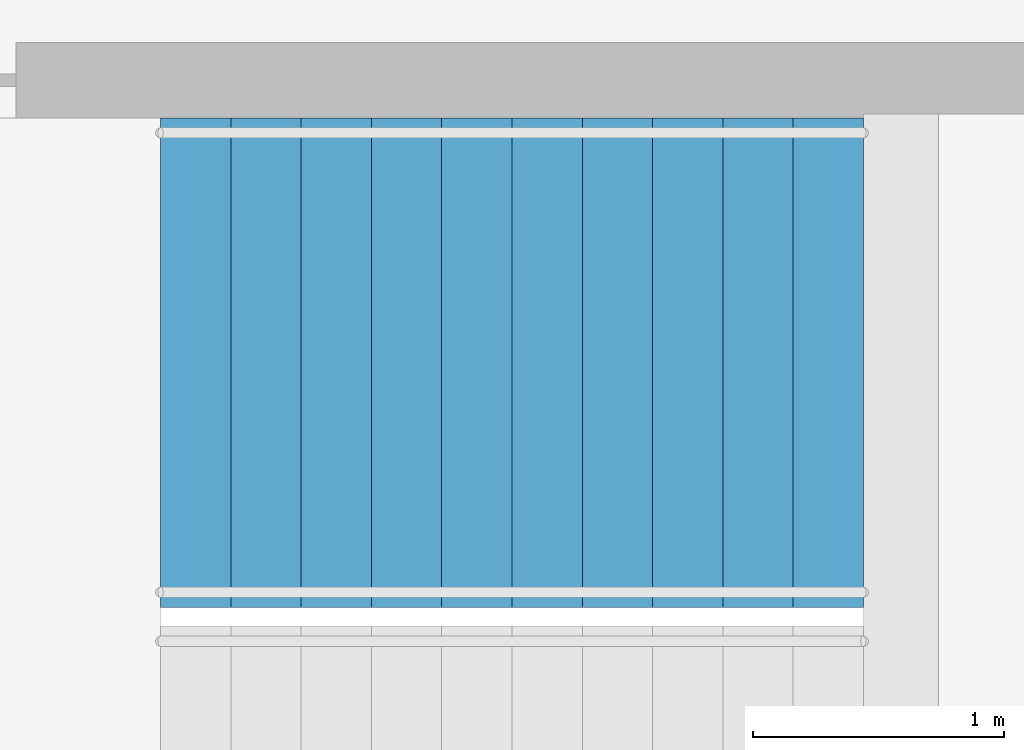
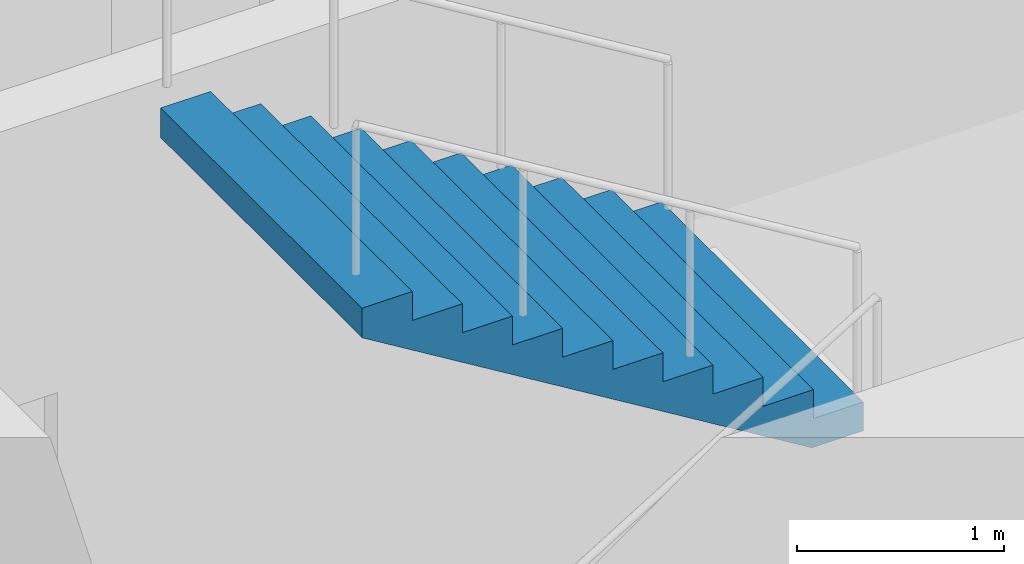
# One storey, part 19 of 22: 1 stair flight, 1 element without a shape of its own.
"""IFC4 building model written with IfcOpenShell, lengths in metres."""

from ifc_helpers import new_model, si_unit, direction, frame, origin, place, context, subcontext, project, spatial, triangles, material, type_object, element, aggregate, save


model = new_model("IFC4")

# Units and contexts
model_context = context("Model", 3, precision=1e-05, world=origin(), true_north=direction((0.0, 1.0)))
body_context = subcontext(model_context, "Body", "Model", "MODEL_VIEW")
ifc_project = project(units=[si_unit("LENGTHUNIT", "METRE"), si_unit("AREAUNIT", "SQUARE_METRE"), si_unit("VOLUMEUNIT", "CUBIC_METRE"), si_unit("PLANEANGLEUNIT", "RADIAN"), si_unit("MASSUNIT", "GRAM", prefix="KILO")], contexts=[model_context])

# Site, building, storey
site_placement = place(None, origin())
site = spatial("IfcSite", under=ifc_project, at=site_placement, CompositionType="ELEMENT")
building_placement = place(site_placement, origin())
building = spatial("IfcBuilding", under=site, at=building_placement, Name="Orbita Commons", CompositionType="ELEMENT")
storey_placement = place(building_placement, frame((0.0, 0.0, 121.89990234375)))
storey = spatial("IfcBuildingStorey", under=building, at=storey_placement, Name="L30", CompositionType="ELEMENT", Elevation=121.89990234375)

# Stair, stair flight
ifc_material_1 = material(Name="Precast concrete C40/50", Category="concrete")
stair_type = type_object("IfcStairType", Name="Exit stair S1 2 flights 11 risers 170", PredefinedType="HALF_TURN_STAIR", material=ifc_material_1)
stair_placement = place(storey_placement, origin())
stair = element("IfcStair", 1, at=stair_placement, inside=storey, type_object=stair_type, Name="Exit stair S1 L30", PredefinedType="HALF_TURN_STAIR")
ifc_material_2 = material(Name="Precast concrete C40/50", Category="concrete")
stair_flight_type = type_object("IfcStairFlightType", Name="Stair flight 11 risers 170 x 280", PredefinedType="STRAIGHT", material=ifc_material_2)
stair_flight_placement = place(storey_placement, frame((23.25, 29.27490234375, 1.875), z_axis=(0.0, 0.0, 1.0), x_axis=(-1.0, 0.0, 0.0)))
stair_flight = element("IfcStairFlight", 2, at=stair_flight_placement, type_object=stair_flight_type, Name="S1 flight 2", NumberOfRisers=11, NumberOfTreads=10, PredefinedType="STRAIGHT", RiserHeight=0.170454545, TreadLength=0.28, context=body_context, shape_type="Tessellation", body=[
    triangles([(0.0, 0.974976, 0.0), (0.0, 0.974976, 0.021307), (0.0, 0.81248, 0.021307), (0.0, 0.81248, 0.0), (0.0, 0.649984, 0.021307), (0.0, 0.649984, 0.0), (0.0, 0.487488, 0.021307), (0.0, 0.487488, 0.0), (0.0, 0.324992, 0.021307), (0.0, 0.324992, 0.0), (0.0, 0.162496, 0.021307), (0.0, 0.162496, 0.0), (0.0, 0.0, 0.021307), (0.0, 0.0, 0.0), (0.0, -0.162496, 0.021307), (0.0, -0.162496, 0.0), (0.0, -0.324992, 0.021307), (0.0, -0.324992, 0.0), (0.0, -0.487488, 0.021307), (0.0, -0.487488, 0.0), (0.0, -0.649984, 0.021307), (0.0, -0.649984, 0.0), (0.0, -0.81248, 0.021307), (0.0, -0.81248, 0.0), (0.0, -0.974976, 0.021307), (0.0, -0.974976, 0.0), (0.0, 0.974976, 0.042614), (0.0, 0.81248, 0.042614), (0.0, 0.649984, 0.042614), (0.0, 0.487488, 0.042614), (0.0, 0.324992, 0.042614), (0.0, 0.162496, 0.042614), (0.0, 0.0, 0.042614), (0.0, -0.162496, 0.042614), (0.0, -0.324992, 0.042614), (0.0, -0.487488, 0.042614), (0.0, -0.649984, 0.042614), (0.0, -0.81248, 0.042614), (0.0, -0.974976, 0.042614), (0.0, 0.974976, 0.06392), (0.0, 0.81248, 0.06392), (0.0, 0.649984, 0.06392), (0.0, 0.487488, 0.06392), (0.0, 0.324992, 0.06392), (0.0, 0.162496, 0.06392), (0.0, 0.0, 0.06392), (0.0, -0.162496, 0.06392), (0.0, -0.324992, 0.06392), (0.0, -0.487488, 0.06392), (0.0, -0.649984, 0.06392), (0.0, -0.81248, 0.06392), (0.0, -0.974976, 0.06392), (0.0, 0.974976, 0.085227), (0.0, 0.81248, 0.085227), (0.0, 0.649984, 0.085227), (0.0, 0.487488, 0.085227), (0.0, 0.324992, 0.085227), (0.0, 0.162496, 0.085227), (0.0, 0.0, 0.085227), (0.0, -0.162496, 0.085227), (0.0, -0.324992, 0.085227), (0.0, -0.487488, 0.085227), (0.0, -0.649984, 0.085227), (0.0, -0.81248, 0.085227), (0.0, -0.974976, 0.085227), (0.0, 0.974976, 0.106534), (0.0, 0.81248, 0.106534), (0.0, 0.649984, 0.106534), (0.0, 0.487488, 0.106534), (0.0, 0.324992, 0.106534), (0.0, 0.162496, 0.106534), (0.0, 0.0, 0.106534), (0.0, -0.162496, 0.106534), (0.0, -0.324992, 0.106534), (0.0, -0.487488, 0.106534), (0.0, -0.649984, 0.106534), (0.0, -0.81248, 0.106534), (0.0, -0.974976, 0.106534), (0.0, 0.974976, 0.127841), (0.0, 0.81248, 0.127841), (0.0, 0.649984, 0.127841), (0.0, 0.487488, 0.127841), (0.0, 0.324992, 0.127841), (0.0, 0.162496, 0.127841), (0.0, 0.0, 0.127841), (0.0, -0.162496, 0.127841), (0.0, -0.324992, 0.127841), (0.0, -0.487488, 0.127841), (0.0, -0.649984, 0.127841), (0.0, -0.81248, 0.127841), (0.0, -0.974976, 0.127841), (0.0, 0.974976, 0.149148), (0.0, 0.81248, 0.149148), (0.0, 0.649984, 0.149148), (0.0, 0.487488, 0.149148), (0.0, 0.324992, 0.149148), (0.0, 0.162496, 0.149148), (0.0, 0.0, 0.149148), (0.0, -0.162496, 0.149148), (0.0, -0.324992, 0.149148), (0.0, -0.487488, 0.149148), (0.0, -0.649984, 0.149148), (0.0, -0.81248, 0.149148), (0.0, -0.974976, 0.149148), (0.0, 0.974976, 0.170455), (0.0, 0.81248, 0.170455), (0.0, 0.649984, 0.170455), (0.0, 0.487488, 0.170455), (0.0, 0.324992, 0.170455), (0.0, 0.162496, 0.170455), (0.0, 0.0, 0.170455), (0.0, -0.162496, 0.170455), (0.0, -0.324992, 0.170455), (0.0, -0.487488, 0.170455), (0.0, -0.649984, 0.170455), (0.0, -0.81248, 0.170455), (0.0, -0.974976, 0.170455), (0.28, 0.974976, 0.170455), (0.28, 0.81248, 0.170455), (0.28, 0.649984, 0.170455), (0.28, 0.487488, 0.170455), (0.28, 0.324992, 0.170455), (0.28, 0.162496, 0.170455), (0.28, 0.0, 0.170455), (0.28, -0.162496, 0.170455), (0.28, -0.324992, 0.170455), (0.28, -0.487488, 0.170455), (0.28, -0.649984, 0.170455), (0.28, -0.81248, 0.170455), (0.28, -0.974976, 0.170455), (0.28, 0.974976, 0.340909), (0.28, 0.81248, 0.340909), (0.28, 0.649984, 0.340909), (0.28, 0.487488, 0.340909), (0.28, 0.324992, 0.340909), (0.28, 0.162496, 0.340909), (0.28, 0.0, 0.340909), (0.28, -0.162496, 0.340909), (0.28, -0.324992, 0.340909), (0.28, -0.487488, 0.340909), (0.28, -0.649984, 0.340909), (0.28, -0.81248, 0.340909), (0.28, -0.974976, 0.340909), (0.56, 0.974976, 0.340909), (0.56, 0.81248, 0.340909), (0.56, 0.649984, 0.340909), (0.56, 0.487488, 0.340909), (0.56, 0.324992, 0.340909), (0.56, 0.162496, 0.340909), (0.56, 0.0, 0.340909), (0.56, -0.162496, 0.340909), (0.56, -0.324992, 0.340909), (0.56, -0.487488, 0.340909), (0.56, -0.649984, 0.340909), (0.56, -0.81248, 0.340909), (0.56, -0.974976, 0.340909), (0.56, 0.974976, 0.511364), (0.56, 0.81248, 0.511364), (0.56, 0.649984, 0.511364), (0.56, 0.487488, 0.511364), (0.56, 0.324992, 0.511364), (0.56, 0.162496, 0.511364), (0.56, 0.0, 0.511364), (0.56, -0.162496, 0.511364), (0.56, -0.324992, 0.511364), (0.56, -0.487488, 0.511364), (0.56, -0.649984, 0.511364), (0.56, -0.81248, 0.511364), (0.56, -0.974976, 0.511364), (0.84, 0.974976, 0.511364), (0.84, 0.81248, 0.511364), (0.84, 0.649984, 0.511364), (0.84, 0.487488, 0.511364), (0.84, 0.324992, 0.511364), (0.84, 0.162496, 0.511364), (0.84, 0.0, 0.511364), (0.84, -0.162496, 0.511364), (0.84, -0.324992, 0.511364), (0.84, -0.487488, 0.511364), (0.84, -0.649984, 0.511364), (0.84, -0.81248, 0.511364), (0.84, -0.974976, 0.511364), (0.84, 0.974976, 0.681818), (0.84, 0.81248, 0.681818), (0.84, 0.649984, 0.681818), (0.84, 0.487488, 0.681818), (0.84, 0.324992, 0.681818), (0.84, 0.162496, 0.681818), (0.84, 0.0, 0.681818), (0.84, -0.162496, 0.681818), (0.84, -0.324992, 0.681818), (0.84, -0.487488, 0.681818), (0.84, -0.649984, 0.681818), (0.84, -0.81248, 0.681818), (0.84, -0.974976, 0.681818), (1.12, 0.974976, 0.681818), (1.12, 0.81248, 0.681818), (1.12, 0.649984, 0.681818), (1.12, 0.487488, 0.681818), (1.12, 0.324992, 0.681818), (1.12, 0.162496, 0.681818), (1.12, 0.0, 0.681818), (1.12, -0.162496, 0.681818), (1.12, -0.324992, 0.681818), (1.12, -0.487488, 0.681818), (1.12, -0.649984, 0.681818), (1.12, -0.81248, 0.681818), (1.12, -0.974976, 0.681818), (1.12, 0.974976, 0.852273), (1.12, 0.81248, 0.852273), (1.12, 0.649984, 0.852273), (1.12, 0.487488, 0.852273), (1.12, 0.324992, 0.852273), (1.12, 0.162496, 0.852273), (1.12, 0.0, 0.852273), (1.12, -0.162496, 0.852273), (1.12, -0.324992, 0.852273), (1.12, -0.487488, 0.852273), (1.12, -0.649984, 0.852273), (1.12, -0.81248, 0.852273), (1.12, -0.974976, 0.852273), (1.4, 0.974976, 0.852273), (1.4, 0.81248, 0.852273), (1.4, 0.649984, 0.852273), (1.4, 0.487488, 0.852273), (1.4, 0.324992, 0.852273), (1.4, 0.162496, 0.852273), (1.4, 0.0, 0.852273), (1.4, -0.162496, 0.852273), (1.4, -0.324992, 0.852273), (1.4, -0.487488, 0.852273), (1.4, -0.649984, 0.852273), (1.4, -0.81248, 0.852273), (1.4, -0.974976, 0.852273), (1.4, 0.974976, 1.022727), (1.4, 0.81248, 1.022727), (1.4, 0.649984, 1.022727), (1.4, 0.487488, 1.022727), (1.4, 0.324992, 1.022727), (1.4, 0.162496, 1.022727), (1.4, 0.0, 1.022727), (1.4, -0.162496, 1.022727), (1.4, -0.324992, 1.022727), (1.4, -0.487488, 1.022727), (1.4, -0.649984, 1.022727), (1.4, -0.81248, 1.022727), (1.4, -0.974976, 1.022727), (1.68, 0.974976, 1.022727), (1.68, 0.81248, 1.022727), (1.68, 0.649984, 1.022727), (1.68, 0.487488, 1.022727), (1.68, 0.324992, 1.022727), (1.68, 0.162496, 1.022727), (1.68, 0.0, 1.022727), (1.68, -0.162496, 1.022727), (1.68, -0.324992, 1.022727), (1.68, -0.487488, 1.022727), (1.68, -0.649984, 1.022727), (1.68, -0.81248, 1.022727), (1.68, -0.974976, 1.022727), (1.68, 0.974976, 1.193182), (1.68, 0.81248, 1.193182), (1.68, 0.649984, 1.193182), (1.68, 0.487488, 1.193182), (1.68, 0.324992, 1.193182), (1.68, 0.162496, 1.193182), (1.68, 0.0, 1.193182), (1.68, -0.162496, 1.193182), (1.68, -0.324992, 1.193182), (1.68, -0.487488, 1.193182), (1.68, -0.649984, 1.193182), (1.68, -0.81248, 1.193182), (1.68, -0.974976, 1.193182), (1.96, 0.974976, 1.193182), (1.96, 0.81248, 1.193182), (1.96, 0.649984, 1.193182), (1.96, 0.487488, 1.193182), (1.96, 0.324992, 1.193182), (1.96, 0.162496, 1.193182), (1.96, 0.0, 1.193182), (1.96, -0.162496, 1.193182), (1.96, -0.324992, 1.193182), (1.96, -0.487488, 1.193182), (1.96, -0.649984, 1.193182), (1.96, -0.81248, 1.193182), (1.96, -0.974976, 1.193182), (1.96, 0.974976, 1.363636), (1.96, 0.81248, 1.363636), (1.96, 0.649984, 1.363636), (1.96, 0.487488, 1.363636), (1.96, 0.324992, 1.363636), (1.96, 0.162496, 1.363636), (1.96, 0.0, 1.363636), (1.96, -0.162496, 1.363636), (1.96, -0.324992, 1.363636), (1.96, -0.487488, 1.363636), (1.96, -0.649984, 1.363636), (1.96, -0.81248, 1.363636), (1.96, -0.974976, 1.363636), (2.24, 0.974976, 1.363636), (2.24, 0.81248, 1.363636), (2.24, 0.649984, 1.363636), (2.24, 0.487488, 1.363636), (2.24, 0.324992, 1.363636), (2.24, 0.162496, 1.363636), (2.24, 0.0, 1.363636), (2.24, -0.162496, 1.363636), (2.24, -0.324992, 1.363636), (2.24, -0.487488, 1.363636), (2.24, -0.649984, 1.363636), (2.24, -0.81248, 1.363636), (2.24, -0.974976, 1.363636), (2.24, 0.974976, 1.534091), (2.24, 0.81248, 1.534091), (2.24, 0.649984, 1.534091), (2.24, 0.487488, 1.534091), (2.24, 0.324992, 1.534091), (2.24, 0.162496, 1.534091), (2.24, 0.0, 1.534091), (2.24, -0.162496, 1.534091), (2.24, -0.324992, 1.534091), (2.24, -0.487488, 1.534091), (2.24, -0.649984, 1.534091), (2.24, -0.81248, 1.534091), (2.24, -0.974976, 1.534091), (2.52, 0.974976, 1.534091), (2.52, 0.81248, 1.534091), (2.52, 0.649984, 1.534091), (2.52, 0.487488, 1.534091), (2.52, 0.324992, 1.534091), (2.52, 0.162496, 1.534091), (2.52, 0.0, 1.534091), (2.52, -0.162496, 1.534091), (2.52, -0.324992, 1.534091), (2.52, -0.487488, 1.534091), (2.52, -0.649984, 1.534091), (2.52, -0.81248, 1.534091), (2.52, -0.974976, 1.534091), (2.52, 0.974976, 1.704545), (2.52, 0.81248, 1.704545), (2.52, 0.649984, 1.704545), (2.52, 0.487488, 1.704545), (2.52, 0.324992, 1.704545), (2.52, 0.162496, 1.704545), (2.52, 0.0, 1.704545), (2.52, -0.162496, 1.704545), (2.52, -0.324992, 1.704545), (2.52, -0.487488, 1.704545), (2.52, -0.649984, 1.704545), (2.52, -0.81248, 1.704545), (2.52, -0.974976, 1.704545), (2.8, 0.974976, 1.704545), (2.8, 0.81248, 1.704545), (2.8, 0.649984, 1.704545), (2.8, 0.487488, 1.704545), (2.8, 0.324992, 1.704545), (2.8, 0.162496, 1.704545), (2.8, 0.0, 1.704545), (2.8, -0.162496, 1.704545), (2.8, -0.324992, 1.704545), (2.8, -0.487488, 1.704545), (2.8, -0.649984, 1.704545), (2.8, -0.81248, 1.704545), (2.8, -0.974976, 1.704545), (2.8, 0.974976, 1.682609), (2.8, 0.81248, 1.682609), (2.8, 0.649984, 1.682609), (2.8, 0.487488, 1.682609), (2.8, 0.324992, 1.682609), (2.8, 0.162496, 1.682609), (2.8, 0.0, 1.682609), (2.8, -0.162496, 1.682609), (2.8, -0.324992, 1.682609), (2.8, -0.487488, 1.682609), (2.8, -0.649984, 1.682609), (2.8, -0.81248, 1.682609), (2.8, -0.974976, 1.682609), (2.8, 0.974976, 1.660672), (2.8, 0.81248, 1.660672), (2.8, 0.649984, 1.660672), (2.8, 0.487488, 1.660672), (2.8, 0.324992, 1.660672), (2.8, 0.162496, 1.660672), (2.8, 0.0, 1.660672), (2.8, -0.162496, 1.660672), (2.8, -0.324992, 1.660672), (2.8, -0.487488, 1.660672), (2.8, -0.649984, 1.660672), (2.8, -0.81248, 1.660672), (2.8, -0.974976, 1.660672), (2.8, 0.974976, 1.638735), (2.8, 0.81248, 1.638735), (2.8, 0.649984, 1.638735), (2.8, 0.487488, 1.638735), (2.8, 0.324992, 1.638735), (2.8, 0.162496, 1.638735), (2.8, 0.0, 1.638735), (2.8, -0.162496, 1.638735), (2.8, -0.324992, 1.638735), (2.8, -0.487488, 1.638735), (2.8, -0.649984, 1.638735), (2.8, -0.81248, 1.638735), (2.8, -0.974976, 1.638735), (2.8, 0.974976, 1.616798), (2.8, 0.81248, 1.616798), (2.8, 0.649984, 1.616798), (2.8, 0.487488, 1.616798), (2.8, 0.324992, 1.616798), (2.8, 0.162496, 1.616798), (2.8, 0.0, 1.616798), (2.8, -0.162496, 1.616798), (2.8, -0.324992, 1.616798), (2.8, -0.487488, 1.616798), (2.8, -0.649984, 1.616798), (2.8, -0.81248, 1.616798), (2.8, -0.974976, 1.616798), (2.8, 0.974976, 1.594861), (2.8, 0.81248, 1.594861), (2.8, 0.649984, 1.594861), (2.8, 0.487488, 1.594861), (2.8, 0.324992, 1.594861), (2.8, 0.162496, 1.594861), (2.8, 0.0, 1.594861), (2.8, -0.162496, 1.594861), (2.8, -0.324992, 1.594861), (2.8, -0.487488, 1.594861), (2.8, -0.649984, 1.594861), (2.8, -0.81248, 1.594861), (2.8, -0.974976, 1.594861), (2.8, 0.974976, 1.572925), (2.8, 0.81248, 1.572925), (2.8, 0.649984, 1.572925), (2.8, 0.487488, 1.572925), (2.8, 0.324992, 1.572925), (2.8, 0.162496, 1.572925), (2.8, 0.0, 1.572925), (2.8, -0.162496, 1.572925), (2.8, -0.324992, 1.572925), (2.8, -0.487488, 1.572925), (2.8, -0.649984, 1.572925), (2.8, -0.81248, 1.572925), (2.8, -0.974976, 1.572925), (2.8, 0.974976, 1.550988), (2.8, 0.81248, 1.550988), (2.8, 0.649984, 1.550988), (2.8, 0.487488, 1.550988), (2.8, 0.324992, 1.550988), (2.8, 0.162496, 1.550988), (2.8, 0.0, 1.550988), (2.8, -0.162496, 1.550988), (2.8, -0.324992, 1.550988), (2.8, -0.487488, 1.550988), (2.8, -0.649984, 1.550988), (2.8, -0.81248, 1.550988), (2.8, -0.974976, 1.550988), (2.8, 0.974976, 1.529051), (2.8, 0.81248, 1.529051), (2.8, 0.649984, 1.529051), (2.8, 0.487488, 1.529051), (2.8, 0.324992, 1.529051), (2.8, 0.162496, 1.529051), (2.8, 0.0, 1.529051), (2.8, -0.162496, 1.529051), (2.8, -0.324992, 1.529051), (2.8, -0.487488, 1.529051), (2.8, -0.649984, 1.529051), (2.8, -0.81248, 1.529051), (2.8, -0.974976, 1.529051), (0.288279, 0.974976, 0.0), (0.288279, 0.81248, 0.0), (0.288279, 0.649984, 0.0), (0.288279, 0.487488, 0.0), (0.288279, 0.324992, 0.0), (0.288279, 0.162496, 0.0), (0.288279, 0.0, 0.0), (0.288279, -0.162496, 0.0), (0.288279, -0.324992, 0.0), (0.288279, -0.487488, 0.0), (0.288279, -0.649984, 0.0), (0.288279, -0.81248, 0.0), (0.288279, -0.974976, 0.0)], [[3, 2, 1], [4, 3, 1], [5, 3, 4], [6, 5, 4], [7, 5, 6], [8, 7, 6], [9, 7, 8], [10, 9, 8], [11, 9, 10], [12, 11, 10], [13, 11, 12], [14, 13, 12], [15, 13, 14], [16, 15, 14], [17, 15, 16], [18, 17, 16], [19, 17, 18], [20, 19, 18], [21, 19, 20], [22, 21, 20], [23, 21, 22], [24, 23, 22], [25, 23, 24], [26, 25, 24], [28, 27, 2], [3, 28, 2], [29, 28, 3], [5, 29, 3], [30, 29, 5], [7, 30, 5], [31, 30, 7], [9, 31, 7], [32, 31, 9], [11, 32, 9], [33, 32, 11], [13, 33, 11], [34, 33, 13], [15, 34, 13], [35, 34, 15], [17, 35, 15], [36, 35, 17], [19, 36, 17], [37, 36, 19], [21, 37, 19], [38, 37, 21], [23, 38, 21], [39, 38, 23], [25, 39, 23], [41, 40, 27], [28, 41, 27], [42, 41, 28], [29, 42, 28], [43, 42, 29], [30, 43, 29], [44, 43, 30], [31, 44, 30], [45, 44, 31], [32, 45, 31], [46, 45, 32], [33, 46, 32], [47, 46, 33], [34, 47, 33], [48, 47, 34], [35, 48, 34], [49, 48, 35], [36, 49, 35], [50, 49, 36], [37, 50, 36], [51, 50, 37], [38, 51, 37], [52, 51, 38], [39, 52, 38], [54, 53, 40], [41, 54, 40], [55, 54, 41], [42, 55, 41], [56, 55, 42], [43, 56, 42], [57, 56, 43], [44, 57, 43], [58, 57, 44], [45, 58, 44], [59, 58, 45], [46, 59, 45], [60, 59, 46], [47, 60, 46], [61, 60, 47], [48, 61, 47], [62, 61, 48], [49, 62, 48], [63, 62, 49], [50, 63, 49], [64, 63, 50], [51, 64, 50], [65, 64, 51], [52, 65, 51], [67, 66, 53], [54, 67, 53], [68, 67, 54], [55, 68, 54], [69, 68, 55], [56, 69, 55], [70, 69, 56], [57, 70, 56], [71, 70, 57], [58, 71, 57], [72, 71, 58], [59, 72, 58], [73, 72, 59], [60, 73, 59], [74, 73, 60], [61, 74, 60], [75, 74, 61], [62, 75, 61], [76, 75, 62], [63, 76, 62], [77, 76, 63], [64, 77, 63], [78, 77, 64], [65, 78, 64], [80, 79, 66], [67, 80, 66], [81, 80, 67], [68, 81, 67], [82, 81, 68], [69, 82, 68], [83, 82, 69], [70, 83, 69], [84, 83, 70], [71, 84, 70], [85, 84, 71], [72, 85, 71], [86, 85, 72], [73, 86, 72], [87, 86, 73], [74, 87, 73], [88, 87, 74], [75, 88, 74], [89, 88, 75], [76, 89, 75], [90, 89, 76], [77, 90, 76], [91, 90, 77], [78, 91, 77], [93, 92, 79], [80, 93, 79], [94, 93, 80], [81, 94, 80], [95, 94, 81], [82, 95, 81], [96, 95, 82], [83, 96, 82], [97, 96, 83], [84, 97, 83], [98, 97, 84], [85, 98, 84], [99, 98, 85], [86, 99, 85], [100, 99, 86], [87, 100, 86], [101, 100, 87], [88, 101, 87], [102, 101, 88], [89, 102, 88], [103, 102, 89], [90, 103, 89], [104, 103, 90], [91, 104, 90], [106, 105, 92], [93, 106, 92], [107, 106, 93], [94, 107, 93], [108, 107, 94], [95, 108, 94], [109, 108, 95], [96, 109, 95], [110, 109, 96], [97, 110, 96], [111, 110, 97], [98, 111, 97], [112, 111, 98], [99, 112, 98], [113, 112, 99], [100, 113, 99], [114, 113, 100], [101, 114, 100], [115, 114, 101], [102, 115, 101], [116, 115, 102], [103, 116, 102], [117, 116, 103], [104, 117, 103], [119, 118, 105], [106, 119, 105], [120, 119, 106], [107, 120, 106], [121, 120, 107], [108, 121, 107], [122, 121, 108], [109, 122, 108], [123, 122, 109], [110, 123, 109], [124, 123, 110], [111, 124, 110], [125, 124, 111], [112, 125, 111], [126, 125, 112], [113, 126, 112], [127, 126, 113], [114, 127, 113], [128, 127, 114], [115, 128, 114], [129, 128, 115], [116, 129, 115], [130, 129, 116], [117, 130, 116], [132, 131, 118], [119, 132, 118], [133, 132, 119], [120, 133, 119], [134, 133, 120], [121, 134, 120], [135, 134, 121], [122, 135, 121], [136, 135, 122], [123, 136, 122], [137, 136, 123], [124, 137, 123], [138, 137, 124], [125, 138, 124], [139, 138, 125], [126, 139, 125], [140, 139, 126], [127, 140, 126], [141, 140, 127], [128, 141, 127], [142, 141, 128], [129, 142, 128], [143, 142, 129], [130, 143, 129], [145, 144, 131], [132, 145, 131], [146, 145, 132], [133, 146, 132], [147, 146, 133], [134, 147, 133], [148, 147, 134], [135, 148, 134], [149, 148, 135], [136, 149, 135], [150, 149, 136], [137, 150, 136], [151, 150, 137], [138, 151, 137], [152, 151, 138], [139, 152, 138], [153, 152, 139], [140, 153, 139], [154, 153, 140], [141, 154, 140], [155, 154, 141], [142, 155, 141], [156, 155, 142], [143, 156, 142], [158, 157, 144], [145, 158, 144], [159, 158, 145], [146, 159, 145], [160, 159, 146], [147, 160, 146], [161, 160, 147], [148, 161, 147], [162, 161, 148], [149, 162, 148], [163, 162, 149], [150, 163, 149], [164, 163, 150], [151, 164, 150], [165, 164, 151], [152, 165, 151], [166, 165, 152], [153, 166, 152], [167, 166, 153], [154, 167, 153], [168, 167, 154], [155, 168, 154], [169, 168, 155], [156, 169, 155], [171, 170, 157], [158, 171, 157], [172, 171, 158], [159, 172, 158], [173, 172, 159], [160, 173, 159], [174, 173, 160], [161, 174, 160], [175, 174, 161], [162, 175, 161], [176, 175, 162], [163, 176, 162], [177, 176, 163], [164, 177, 163], [178, 177, 164], [165, 178, 164], [179, 178, 165], [166, 179, 165], [180, 179, 166], [167, 180, 166], [181, 180, 167], [168, 181, 167], [182, 181, 168], [169, 182, 168], [184, 183, 170], [171, 184, 170], [185, 184, 171], [172, 185, 171], [186, 185, 172], [173, 186, 172], [187, 186, 173], [174, 187, 173], [188, 187, 174], [175, 188, 174], [189, 188, 175], [176, 189, 175], [190, 189, 176], [177, 190, 176], [191, 190, 177], [178, 191, 177], [192, 191, 178], [179, 192, 178], [193, 192, 179], [180, 193, 179], [194, 193, 180], [181, 194, 180], [195, 194, 181], [182, 195, 181], [197, 196, 183], [184, 197, 183], [198, 197, 184], [185, 198, 184], [199, 198, 185], [186, 199, 185], [200, 199, 186], [187, 200, 186], [201, 200, 187], [188, 201, 187], [202, 201, 188], [189, 202, 188], [203, 202, 189], [190, 203, 189], [204, 203, 190], [191, 204, 190], [205, 204, 191], [192, 205, 191], [206, 205, 192], [193, 206, 192], [207, 206, 193], [194, 207, 193], [208, 207, 194], [195, 208, 194], [210, 209, 196], [197, 210, 196], [211, 210, 197], [198, 211, 197], [212, 211, 198], [199, 212, 198], [213, 212, 199], [200, 213, 199], [214, 213, 200], [201, 214, 200], [215, 214, 201], [202, 215, 201], [216, 215, 202], [203, 216, 202], [217, 216, 203], [204, 217, 203], [218, 217, 204], [205, 218, 204], [219, 218, 205], [206, 219, 205], [220, 219, 206], [207, 220, 206], [221, 220, 207], [208, 221, 207], [223, 222, 209], [210, 223, 209], [224, 223, 210], [211, 224, 210], [225, 224, 211], [212, 225, 211], [226, 225, 212], [213, 226, 212], [227, 226, 213], [214, 227, 213], [228, 227, 214], [215, 228, 214], [229, 228, 215], [216, 229, 215], [230, 229, 216], [217, 230, 216], [231, 230, 217], [218, 231, 217], [232, 231, 218], [219, 232, 218], [233, 232, 219], [220, 233, 219], [234, 233, 220], [221, 234, 220], [236, 235, 222], [223, 236, 222], [237, 236, 223], [224, 237, 223], [238, 237, 224], [225, 238, 224], [239, 238, 225], [226, 239, 225], [240, 239, 226], [227, 240, 226], [241, 240, 227], [228, 241, 227], [242, 241, 228], [229, 242, 228], [243, 242, 229], [230, 243, 229], [244, 243, 230], [231, 244, 230], [245, 244, 231], [232, 245, 231], [246, 245, 232], [233, 246, 232], [247, 246, 233], [234, 247, 233], [249, 248, 235], [236, 249, 235], [250, 249, 236], [237, 250, 236], [251, 250, 237], [238, 251, 237], [252, 251, 238], [239, 252, 238], [253, 252, 239], [240, 253, 239], [254, 253, 240], [241, 254, 240], [255, 254, 241], [242, 255, 241], [256, 255, 242], [243, 256, 242], [257, 256, 243], [244, 257, 243], [258, 257, 244], [245, 258, 244], [259, 258, 245], [246, 259, 245], [260, 259, 246], [247, 260, 246], [262, 261, 248], [249, 262, 248], [263, 262, 249], [250, 263, 249], [264, 263, 250], [251, 264, 250], [265, 264, 251], [252, 265, 251], [266, 265, 252], [253, 266, 252], [267, 266, 253], [254, 267, 253], [268, 267, 254], [255, 268, 254], [269, 268, 255], [256, 269, 255], [270, 269, 256], [257, 270, 256], [271, 270, 257], [258, 271, 257], [272, 271, 258], [259, 272, 258], [273, 272, 259], [260, 273, 259], [275, 274, 261], [262, 275, 261], [276, 275, 262], [263, 276, 262], [277, 276, 263], [264, 277, 263], [278, 277, 264], [265, 278, 264], [279, 278, 265], [266, 279, 265], [280, 279, 266], [267, 280, 266], [281, 280, 267], [268, 281, 267], [282, 281, 268], [269, 282, 268], [283, 282, 269], [270, 283, 269], [284, 283, 270], [271, 284, 270], [285, 284, 271], [272, 285, 271], [286, 285, 272], [273, 286, 272], [288, 287, 274], [275, 288, 274], [289, 288, 275], [276, 289, 275], [290, 289, 276], [277, 290, 276], [291, 290, 277], [278, 291, 277], [292, 291, 278], [279, 292, 278], [293, 292, 279], [280, 293, 279], [294, 293, 280], [281, 294, 280], [295, 294, 281], [282, 295, 281], [296, 295, 282], [283, 296, 282], [297, 296, 283], [284, 297, 283], [298, 297, 284], [285, 298, 284], [299, 298, 285], [286, 299, 285], [301, 300, 287], [288, 301, 287], [302, 301, 288], [289, 302, 288], [303, 302, 289], [290, 303, 289], [304, 303, 290], [291, 304, 290], [305, 304, 291], [292, 305, 291], [306, 305, 292], [293, 306, 292], [307, 306, 293], [294, 307, 293], [308, 307, 294], [295, 308, 294], [309, 308, 295], [296, 309, 295], [310, 309, 296], [297, 310, 296], [311, 310, 297], [298, 311, 297], [312, 311, 298], [299, 312, 298], [314, 313, 300], [301, 314, 300], [315, 314, 301], [302, 315, 301], [316, 315, 302], [303, 316, 302], [317, 316, 303], [304, 317, 303], [318, 317, 304], [305, 318, 304], [319, 318, 305], [306, 319, 305], [320, 319, 306], [307, 320, 306], [321, 320, 307], [308, 321, 307], [322, 321, 308], [309, 322, 308], [323, 322, 309], [310, 323, 309], [324, 323, 310], [311, 324, 310], [325, 324, 311], [312, 325, 311], [327, 326, 313], [314, 327, 313], [328, 327, 314], [315, 328, 314], [329, 328, 315], [316, 329, 315], [330, 329, 316], [317, 330, 316], [331, 330, 317], [318, 331, 317], [332, 331, 318], [319, 332, 318], [333, 332, 319], [320, 333, 319], [334, 333, 320], [321, 334, 320], [335, 334, 321], [322, 335, 321], [336, 335, 322], [323, 336, 322], [337, 336, 323], [324, 337, 323], [338, 337, 324], [325, 338, 324], [340, 339, 326], [327, 340, 326], [341, 340, 327], [328, 341, 327], [342, 341, 328], [329, 342, 328], [343, 342, 329], [330, 343, 329], [344, 343, 330], [331, 344, 330], [345, 344, 331], [332, 345, 331], [346, 345, 332], [333, 346, 332], [347, 346, 333], [334, 347, 333], [348, 347, 334], [335, 348, 334], [349, 348, 335], [336, 349, 335], [350, 349, 336], [337, 350, 336], [351, 350, 337], [338, 351, 337], [353, 352, 339], [340, 353, 339], [354, 353, 340], [341, 354, 340], [355, 354, 341], [342, 355, 341], [356, 355, 342], [343, 356, 342], [357, 356, 343], [344, 357, 343], [358, 357, 344], [345, 358, 344], [359, 358, 345], [346, 359, 345], [360, 359, 346], [347, 360, 346], [361, 360, 347], [348, 361, 347], [362, 361, 348], [349, 362, 348], [363, 362, 349], [350, 363, 349], [364, 363, 350], [351, 364, 350], [366, 365, 352], [353, 366, 352], [367, 366, 353], [354, 367, 353], [368, 367, 354], [355, 368, 354], [369, 368, 355], [356, 369, 355], [370, 369, 356], [357, 370, 356], [371, 370, 357], [358, 371, 357], [372, 371, 358], [359, 372, 358], [373, 372, 359], [360, 373, 359], [374, 373, 360], [361, 374, 360], [375, 374, 361], [362, 375, 361], [376, 375, 362], [363, 376, 362], [377, 376, 363], [364, 377, 363], [379, 378, 365], [366, 379, 365], [380, 379, 366], [367, 380, 366], [381, 380, 367], [368, 381, 367], [382, 381, 368], [369, 382, 368], [383, 382, 369], [370, 383, 369], [384, 383, 370], [371, 384, 370], [385, 384, 371], [372, 385, 371], [386, 385, 372], [373, 386, 372], [387, 386, 373], [374, 387, 373], [388, 387, 374], [375, 388, 374], [389, 388, 375], [376, 389, 375], [390, 389, 376], [377, 390, 376], [392, 391, 378], [379, 392, 378], [393, 392, 379], [380, 393, 379], [394, 393, 380], [381, 394, 380], [395, 394, 381], [382, 395, 381], [396, 395, 382], [383, 396, 382], [397, 396, 383], [384, 397, 383], [398, 397, 384], [385, 398, 384], [399, 398, 385], [386, 399, 385], [400, 399, 386], [387, 400, 386], [401, 400, 387], [388, 401, 387], [402, 401, 388], [389, 402, 388], [403, 402, 389], [390, 403, 389], [405, 404, 391], [392, 405, 391], [406, 405, 392], [393, 406, 392], [407, 406, 393], [394, 407, 393], [408, 407, 394], [395, 408, 394], [409, 408, 395], [396, 409, 395], [410, 409, 396], [397, 410, 396], [411, 410, 397], [398, 411, 397], [412, 411, 398], [399, 412, 398], [413, 412, 399], [400, 413, 399], [414, 413, 400], [401, 414, 400], [415, 414, 401], [402, 415, 401], [416, 415, 402], [403, 416, 402], [418, 417, 404], [405, 418, 404], [419, 418, 405], [406, 419, 405], [420, 419, 406], [407, 420, 406], [421, 420, 407], [408, 421, 407], [422, 421, 408], [409, 422, 408], [423, 422, 409], [410, 423, 409], [424, 423, 410], [411, 424, 410], [425, 424, 411], [412, 425, 411], [426, 425, 412], [413, 426, 412], [427, 426, 413], [414, 427, 413], [428, 427, 414], [415, 428, 414], [429, 428, 415], [416, 429, 415], [431, 430, 417], [418, 431, 417], [432, 431, 418], [419, 432, 418], [433, 432, 419], [420, 433, 419], [434, 433, 420], [421, 434, 420], [435, 434, 421], [422, 435, 421], [436, 435, 422], [423, 436, 422], [437, 436, 423], [424, 437, 423], [438, 437, 424], [425, 438, 424], [439, 438, 425], [426, 439, 425], [440, 439, 426], [427, 440, 426], [441, 440, 427], [428, 441, 427], [442, 441, 428], [429, 442, 428], [444, 443, 430], [431, 444, 430], [445, 444, 431], [432, 445, 431], [446, 445, 432], [433, 446, 432], [447, 446, 433], [434, 447, 433], [448, 447, 434], [435, 448, 434], [449, 448, 435], [436, 449, 435], [450, 449, 436], [437, 450, 436], [451, 450, 437], [438, 451, 437], [452, 451, 438], [439, 452, 438], [453, 452, 439], [440, 453, 439], [454, 453, 440], [441, 454, 440], [455, 454, 441], [442, 455, 441], [457, 456, 443], [444, 457, 443], [458, 457, 444], [445, 458, 444], [459, 458, 445], [446, 459, 445], [460, 459, 446], [447, 460, 446], [461, 460, 447], [448, 461, 447], [462, 461, 448], [449, 462, 448], [463, 462, 449], [450, 463, 449], [464, 463, 450], [451, 464, 450], [465, 464, 451], [452, 465, 451], [466, 465, 452], [453, 466, 452], [467, 466, 453], [454, 467, 453], [468, 467, 454], [455, 468, 454], [470, 469, 456], [457, 470, 456], [471, 470, 457], [458, 471, 457], [472, 471, 458], [459, 472, 458], [473, 472, 459], [460, 473, 459], [474, 473, 460], [461, 474, 460], [475, 474, 461], [462, 475, 461], [476, 475, 462], [463, 476, 462], [477, 476, 463], [464, 477, 463], [478, 477, 464], [465, 478, 464], [479, 478, 465], [466, 479, 465], [480, 479, 466], [467, 480, 466], [481, 480, 467], [468, 481, 467], [4, 1, 469], [470, 4, 469], [6, 4, 470], [471, 6, 470], [8, 6, 471], [472, 8, 471], [10, 8, 472], [473, 10, 472], [12, 10, 473], [474, 12, 473], [14, 12, 474], [475, 14, 474], [16, 14, 475], [476, 16, 475], [18, 16, 476], [477, 18, 476], [20, 18, 477], [478, 20, 477], [22, 20, 478], [479, 22, 478], [24, 22, 479], [480, 24, 479], [26, 24, 480], [481, 26, 480], [456, 469, 1], [26, 481, 468], [443, 456, 1], [26, 468, 455], [430, 443, 1], [26, 455, 442], [417, 430, 1], [26, 442, 429], [404, 417, 1], [26, 429, 416], [391, 404, 1], [26, 416, 403], [378, 391, 1], [26, 403, 390], [365, 378, 1], [26, 390, 377], [339, 352, 365], [377, 364, 351], [326, 339, 365], [377, 351, 338], [300, 313, 326], [338, 325, 312], [300, 326, 365], [377, 338, 312], [274, 287, 300], [312, 299, 286], [274, 300, 365], [377, 312, 286], [248, 261, 274], [286, 273, 260], [248, 274, 365], [377, 286, 260], [222, 235, 248], [260, 247, 234], [222, 248, 365], [377, 260, 234], [196, 209, 222], [234, 221, 208], [196, 222, 365], [377, 234, 208], [170, 183, 196], [208, 195, 182], [170, 196, 365], [377, 208, 182], [144, 157, 170], [182, 169, 156], [144, 170, 365], [377, 182, 156], [118, 131, 144], [156, 143, 130], [118, 144, 365], [377, 156, 130], [118, 365, 1], [26, 377, 130], [92, 105, 118], [130, 117, 104], [79, 92, 118], [130, 104, 91], [66, 79, 118], [130, 91, 78], [53, 66, 118], [130, 78, 65], [40, 53, 118], [130, 65, 52], [27, 40, 118], [130, 52, 39], [2, 27, 118], [130, 39, 25], [1, 2, 118], [130, 25, 26]], closed=True),
])
aggregate(stair, [stair_flight])

save(model, "model.ifc")
